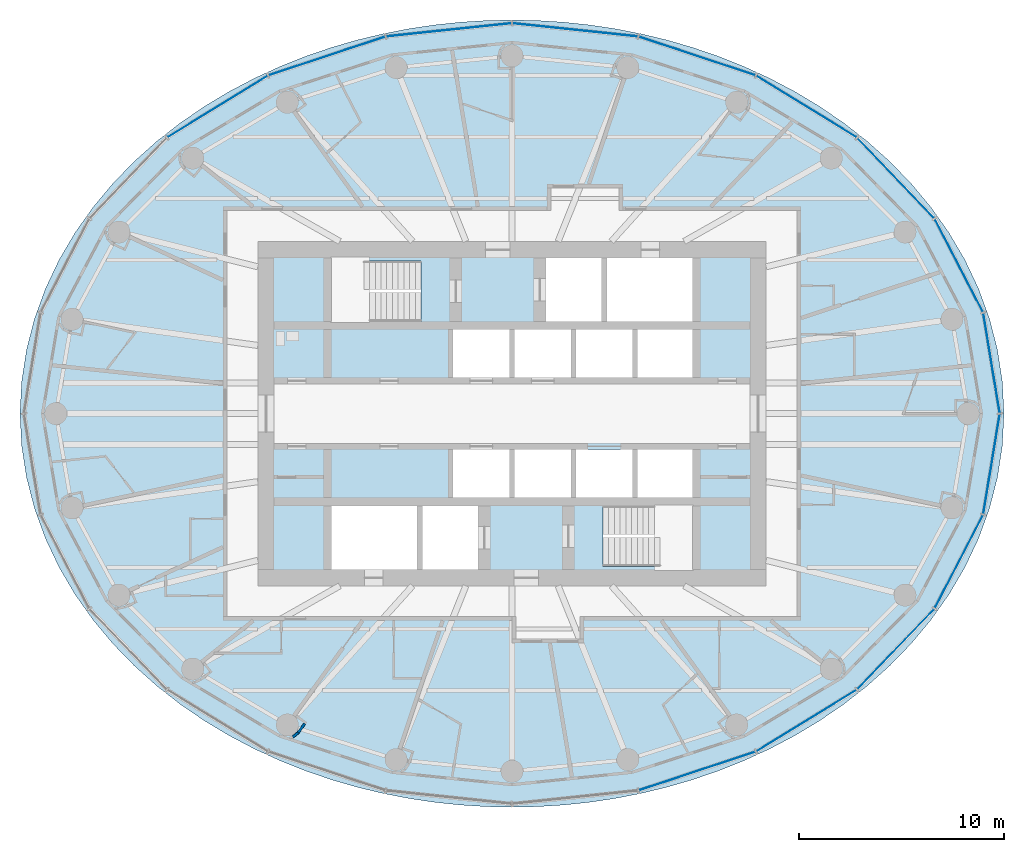
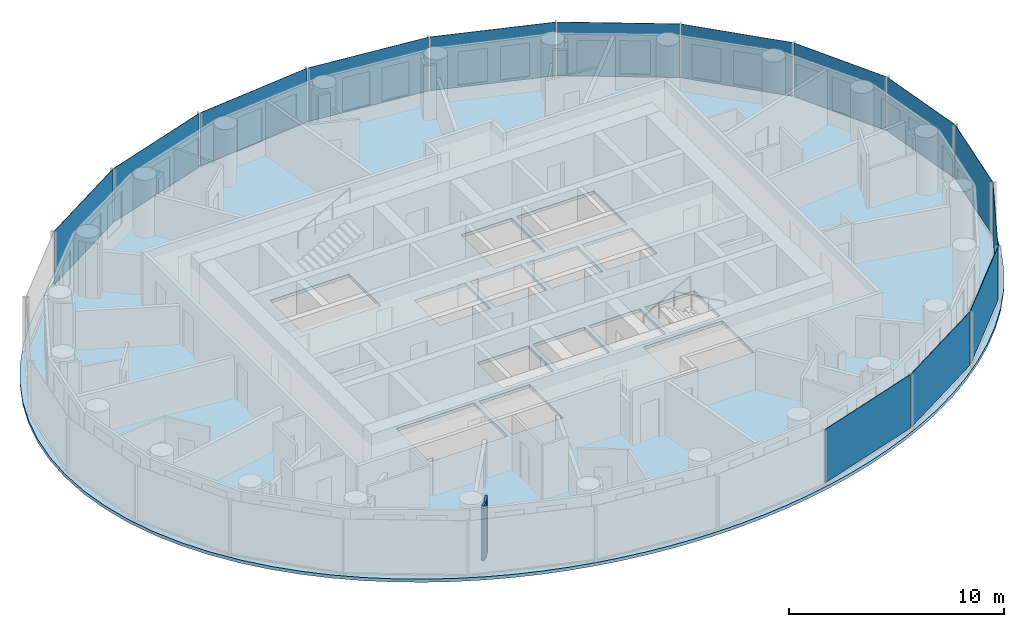
# One storey, part 5 of 14: 14 plates, 2 walls, 1 slab, 3 elements without a shape of their own.
"""IFC4 building model written with IfcOpenShell, lengths in metres."""

from ifc_helpers import new_model, si_unit, direction, frame, frame_2d, origin, origin_2d, place, context, subcontext, project, spatial, polyline, rectangle, outline, extrude, material, layer, layer_set, type_object, element, aggregate, save


model = new_model("IFC4")

# Units and contexts
model_context = context("Model", 3, precision=1e-05, world=origin(), true_north=direction((0.0, 1.0)))
body_context = subcontext(model_context, "Body", "Model", "MODEL_VIEW")
ifc_project = project(units=[si_unit("LENGTHUNIT", "METRE"), si_unit("AREAUNIT", "SQUARE_METRE"), si_unit("VOLUMEUNIT", "CUBIC_METRE"), si_unit("PLANEANGLEUNIT", "RADIAN"), si_unit("MASSUNIT", "GRAM", prefix="KILO")], contexts=[model_context])

# Site, building, storey
site_placement = place(None, origin())
site = spatial("IfcSite", under=ifc_project, at=site_placement, CompositionType="ELEMENT")
building_placement = place(site_placement, origin())
building = spatial("IfcBuilding", under=site, at=building_placement, Name="Hankou Lantern Tower", CompositionType="ELEMENT")
storey_placement = place(building_placement, frame((0.0, 0.0, 179.699951171875)))
storey = spatial("IfcBuildingStorey", under=building, at=storey_placement, Name="L48", CompositionType="ELEMENT", Elevation=179.699951171875)

# Curtain wall, plates
ifc_material_1 = material(Name="Glass, dark grey tinted laminated", Category="glass")
curtain_wall_type = type_object("IfcCurtainWallType", Name="CWC OUTER SKIN HIGH-RISE", PredefinedType="USERDEFINED", material=ifc_material_1)
curtain_wall_1_placement = place(storey_placement, origin())
curtain_wall_1 = element("IfcCurtainWall", 1, at=curtain_wall_1_placement, inside=storey, type_object=curtain_wall_type, Name="CWC L48 OS1", ObjectType="OUTER SKIN HIGH-RISE", PredefinedType="USERDEFINED")
ifc_material_2 = material(Name="Glass, dark grey tinted laminated", Category="glass")
ifc_layer_1 = layer(ifc_material_2, 0.02392578125)
ifc_layer_set_1 = layer_set([ifc_layer_1], Name="Glass, dark grey tinted laminated")
plate_type = type_object("IfcPlateType", Name="PN1 OUTER SKIN GLASS PANEL", PredefinedType="CURTAIN_PANEL", material=ifc_layer_set_1)
plate_1_placement = place(storey_placement, frame((23.39453125, 2.4638671875, 0.080078125), z_axis=(0.0, 0.0, 1.0), x_axis=(-0.162381515188, 0.986728049427, 0.0)))
plate_1 = element("IfcPlate", 2, at=plate_1_placement, type_object=plate_type, Name="CWC glass panel 1", PredefinedType="CURTAIN_PANEL", context=body_context, shape_type="SweptSolid", body=[
    extrude(rectangle(XDim=4.914306640625, YDim=0.02392578125, at=origin_2d()), origin(), (0.0, 0.0, 1.0), 3.0400390625),
])
plate_2_placement = place(storey_placement, frame((21.80029296875, 7.223876953125, 0.080078125), z_axis=(0.0, 0.0, 1.0), x_axis=(-0.459791091957, 0.888027112062, 0.0)))
plate_2 = element("IfcPlate", 3, at=plate_2_placement, type_object=plate_type, Name="CWC glass panel 2", PredefinedType="CURTAIN_PANEL", context=body_context, shape_type="SweptSolid", body=[
    extrude(rectangle(XDim=5.091064453125, YDim=0.02392578125, at=origin_2d()), origin(), (0.0, 0.0, 1.0), 3.0400390625),
])
plate_3_placement = place(storey_placement, frame((18.72021484375, 11.49169921875, 0.080078125), z_axis=(0.0, 0.0, 1.0), x_axis=(-0.692215809936, 0.721690565599, 0.0)))
plate_3 = element("IfcPlate", 4, at=plate_3_placement, type_object=plate_type, Name="CWC glass panel 3", PredefinedType="CURTAIN_PANEL", context=body_context, shape_type="SweptSolid", body=[
    extrude(rectangle(XDim=5.384033203125, YDim=0.02392578125, at=origin_2d()), origin(), (0.0, 0.0, 1.0), 3.0400390625),
])
plate_4_placement = place(storey_placement, frame((14.364501953125, 14.976318359375, 0.080078125), z_axis=(0.0, 0.0, 1.0), x_axis=(-0.852237151549, 0.523155653242, 0.0)))
plate_4 = element("IfcPlate", 5, at=plate_4_placement, type_object=plate_type, Name="CWC glass panel 4", PredefinedType="CURTAIN_PANEL", context=body_context, shape_type="SweptSolid", body=[
    extrude(rectangle(XDim=5.703857421875, YDim=0.02392578125, at=origin_2d()), origin(), (0.0, 0.0, 1.0), 3.0400390625),
])
plate_5_placement = place(storey_placement, frame((9.030029296875, 17.440185546875, 0.080078125), z_axis=(0.0, 0.0, 1.0), x_axis=(-0.949240677293, 0.31455068999, 0.0)))
plate_5 = element("IfcPlate", 6, at=plate_5_placement, type_object=plate_type, Name="CWC glass panel 5", PredefinedType="CURTAIN_PANEL", context=body_context, shape_type="SweptSolid", body=[
    extrude(rectangle(XDim=5.967041015625, YDim=0.02392578125, at=origin_2d()), origin(), (0.0, 0.0, 1.0), 3.0400390625),
])
plate_6_placement = place(storey_placement, frame((3.079833984375, 18.715576171875, 0.080078125), z_axis=(0.0, 0.0, 1.0), x_axis=(-0.994499359107, 0.104742659579, 0.0)))
plate_6 = element("IfcPlate", 7, at=plate_6_placement, type_object=plate_type, Name="CWC glass panel 6", PredefinedType="CURTAIN_PANEL", context=body_context, shape_type="SweptSolid", body=[
    extrude(rectangle(XDim=6.114013671875, YDim=0.02392578125, at=origin_2d()), origin(), (0.0, 0.0, 1.0), 3.0400390625),
])
aggregate(curtain_wall_1, [plate_1, plate_2, plate_3, plate_4, plate_5, plate_6])

curtain_wall_2_placement = place(storey_placement, origin())
curtain_wall_2 = element("IfcCurtainWall", 8, at=curtain_wall_2_placement, inside=storey, type_object=curtain_wall_type, Name="CWC L48 OS2", ObjectType="OUTER SKIN HIGH-RISE", PredefinedType="USERDEFINED")
plate_7_placement = place(storey_placement, frame((-3.079833984375, 18.715576171875, 0.080078125), z_axis=(0.0, 0.0, 1.0), x_axis=(-0.994499359107, -0.104742659579, 0.0)))
plate_7 = element("IfcPlate", 9, at=plate_7_placement, type_object=plate_type, Name="CWC glass panel 1", PredefinedType="CURTAIN_PANEL", context=body_context, shape_type="SweptSolid", body=[
    extrude(rectangle(XDim=6.114013671875, YDim=0.02392578125, at=origin_2d()), origin(), (0.0, 0.0, 1.0), 3.0400390625),
])
plate_8_placement = place(storey_placement, frame((-9.030029296875, 17.440185546875, 0.080078125), z_axis=(0.0, 0.0, 1.0), x_axis=(-0.949240677293, -0.31455068999, 0.0)))
plate_8 = element("IfcPlate", 10, at=plate_8_placement, type_object=plate_type, Name="CWC glass panel 2", PredefinedType="CURTAIN_PANEL", context=body_context, shape_type="SweptSolid", body=[
    extrude(rectangle(XDim=5.967041015625, YDim=0.02392578125, at=origin_2d()), origin(), (0.0, 0.0, 1.0), 3.0400390625),
])
plate_9_placement = place(storey_placement, frame((-14.364501953125, 14.976318359375, 0.080078125), z_axis=(0.0, 0.0, 1.0), x_axis=(-0.852237151549, -0.523155653242, 0.0)))
plate_9 = element("IfcPlate", 11, at=plate_9_placement, type_object=plate_type, Name="CWC glass panel 3", PredefinedType="CURTAIN_PANEL", context=body_context, shape_type="SweptSolid", body=[
    extrude(rectangle(XDim=5.703857421875, YDim=0.02392578125, at=origin_2d()), origin(), (0.0, 0.0, 1.0), 3.0400390625),
])
aggregate(curtain_wall_2, [plate_7, plate_8, plate_9])

curtain_wall_3_placement = place(storey_placement, origin())
curtain_wall_3 = element("IfcCurtainWall", 12, at=curtain_wall_3_placement, inside=storey, type_object=curtain_wall_type, Name="CWC L48 OS4", ObjectType="OUTER SKIN HIGH-RISE", PredefinedType="USERDEFINED")
plate_10_placement = place(storey_placement, frame((9.030029296875, -17.440185546875, 0.080078125), z_axis=(0.0, 0.0, 1.0), x_axis=(0.949240677293, 0.31455068999, 0.0)))
plate_10 = element("IfcPlate", 13, at=plate_10_placement, type_object=plate_type, Name="CWC glass panel 2", PredefinedType="CURTAIN_PANEL", context=body_context, shape_type="SweptSolid", body=[
    extrude(rectangle(XDim=5.967041015625, YDim=0.02392578125, at=origin_2d()), origin(), (0.0, 0.0, 1.0), 3.0400390625),
])
plate_11_placement = place(storey_placement, frame((14.364501953125, -14.976318359375, 0.080078125), z_axis=(0.0, 0.0, 1.0), x_axis=(0.852237151549, 0.523155653242, 0.0)))
plate_11 = element("IfcPlate", 14, at=plate_11_placement, type_object=plate_type, Name="CWC glass panel 3", PredefinedType="CURTAIN_PANEL", context=body_context, shape_type="SweptSolid", body=[
    extrude(rectangle(XDim=5.703857421875, YDim=0.02392578125, at=origin_2d()), origin(), (0.0, 0.0, 1.0), 3.0400390625),
])
plate_12_placement = place(storey_placement, frame((18.72021484375, -11.49169921875, 0.080078125), z_axis=(0.0, 0.0, 1.0), x_axis=(0.692215809936, 0.721690565599, 0.0)))
plate_12 = element("IfcPlate", 15, at=plate_12_placement, type_object=plate_type, Name="CWC glass panel 4", PredefinedType="CURTAIN_PANEL", context=body_context, shape_type="SweptSolid", body=[
    extrude(rectangle(XDim=5.384033203125, YDim=0.02392578125, at=origin_2d()), origin(), (0.0, 0.0, 1.0), 3.0400390625),
])
plate_13_placement = place(storey_placement, frame((21.80029296875, -7.223876953125, 0.080078125), z_axis=(0.0, 0.0, 1.0), x_axis=(0.459791091957, 0.888027112062, 0.0)))
plate_13 = element("IfcPlate", 16, at=plate_13_placement, type_object=plate_type, Name="CWC glass panel 5", PredefinedType="CURTAIN_PANEL", context=body_context, shape_type="SweptSolid", body=[
    extrude(rectangle(XDim=5.091064453125, YDim=0.02392578125, at=origin_2d()), origin(), (0.0, 0.0, 1.0), 3.0400390625),
])
plate_14_placement = place(storey_placement, frame((23.39453125, -2.4638671875, 0.080078125), z_axis=(0.0, 0.0, 1.0), x_axis=(0.162381515188, 0.986728049427, 0.0)))
plate_14 = element("IfcPlate", 17, at=plate_14_placement, type_object=plate_type, Name="CWC glass panel 6", PredefinedType="CURTAIN_PANEL", context=body_context, shape_type="SweptSolid", body=[
    extrude(rectangle(XDim=4.914306640625, YDim=0.02392578125, at=origin_2d()), origin(), (0.0, 0.0, 1.0), 3.0400390625),
])
aggregate(curtain_wall_3, [plate_10, plate_11, plate_12, plate_13, plate_14])

# Slab
ifc_material_3 = material(Name="Concrete C50", Category="concrete")
ifc_layer_2 = layer(ifc_material_3, 0.179931640625)
ifc_layer_set_2 = layer_set([ifc_layer_2], Name="Concrete C50")
slab_type = type_object("IfcSlabType", Name="S1 CONCRETE FLOOR SLAB 180", PredefinedType="FLOOR", material=ifc_layer_set_2)
slab_placement = place(storey_placement, frame((0.0, 0.0, -0.179931640625)))
element("IfcSlab", 18, at=slab_placement, inside=storey, type_object=slab_type, Name="Floor slab L48", PredefinedType="FLOOR", context=body_context, shape_type="SweptSolid", body=[
    extrude(outline(polyline([(24.0, 0.0), (23.919921875, 1.56787109375), (23.681396484375, 3.11767578125), (23.290771484375, 4.6328125), (22.75732421875, 6.097900390625), (22.09326171875, 7.499755859375), (21.312744140625, 8.827880859375), (20.43017578125, 10.0751953125), (19.461181640625, 11.23583984375), (18.420166015625, 12.307861328125), (17.320556640625, 13.29052734375), (16.174560546875, 14.184814453125), (14.99267578125, 14.99267578125), (13.783935546875, 15.717529296875), (12.5556640625, 16.363037109375), (11.31396484375, 16.9326171875), (10.0634765625, 17.4306640625), (8.8076171875, 17.8603515625), (7.54931640625, 18.225341796875), (6.289794921875, 18.52880859375), (5.0302734375, 18.7734375), (3.771728515625, 18.96142578125), (2.513916015625, 19.094482421875), (1.256591796875, 19.173583984375), (0.0, 19.199951171875), (-1.256591796875, 19.173583984375), (-2.513916015625, 19.094482421875), (-3.771728515625, 18.96142578125), (-5.0302734375, 18.7734375), (-6.289794921875, 18.52880859375), (-7.54931640625, 18.225341796875), (-8.8076171875, 17.8603515625), (-10.0634765625, 17.4306640625), (-11.31396484375, 16.9326171875), (-12.5556640625, 16.363037109375), (-13.783935546875, 15.717529296875), (-14.99267578125, 14.99267578125), (-16.174560546875, 14.184814453125), (-17.320556640625, 13.29052734375), (-18.420166015625, 12.307861328125), (-19.461181640625, 11.23583984375), (-20.43017578125, 10.0751953125), (-21.312744140625, 8.827880859375), (-22.09326171875, 7.499755859375), (-22.75732421875, 6.097900390625), (-23.290771484375, 4.6328125), (-23.681396484375, 3.11767578125), (-23.919921875, 1.56787109375), (-24.0, 0.0), (-23.919921875, -1.56787109375), (-23.681396484375, -3.11767578125), (-23.290771484375, -4.6328125), (-22.75732421875, -6.097900390625), (-22.09326171875, -7.499755859375), (-21.312744140625, -8.827880859375), (-20.43017578125, -10.0751953125), (-19.461181640625, -11.23583984375), (-18.420166015625, -12.307861328125), (-17.320556640625, -13.29052734375), (-16.174560546875, -14.184814453125), (-14.99267578125, -14.99267578125), (-13.783935546875, -15.717529296875), (-12.5556640625, -16.363037109375), (-11.31396484375, -16.9326171875), (-10.0634765625, -17.4306640625), (-8.8076171875, -17.8603515625), (-7.54931640625, -18.225341796875), (-6.289794921875, -18.52880859375), (-5.0302734375, -18.7734375), (-3.771728515625, -18.96142578125), (-2.513916015625, -19.094482421875), (-1.256591796875, -19.173583984375), (0.0, -19.199951171875), (1.256591796875, -19.173583984375), (2.513916015625, -19.094482421875), (3.771728515625, -18.96142578125), (5.0302734375, -18.7734375), (6.289794921875, -18.52880859375), (7.54931640625, -18.225341796875), (8.8076171875, -17.8603515625), (10.0634765625, -17.4306640625), (11.31396484375, -16.9326171875), (12.5556640625, -16.363037109375), (13.783935546875, -15.717529296875), (14.99267578125, -14.99267578125), (16.174560546875, -14.184814453125), (17.320556640625, -13.29052734375), (18.420166015625, -12.307861328125), (19.461181640625, -11.23583984375), (20.43017578125, -10.0751953125), (21.312744140625, -8.827880859375), (22.09326171875, -7.499755859375), (22.75732421875, -6.097900390625), (23.290771484375, -4.6328125), (23.681396484375, -3.11767578125), (23.919921875, -1.56787109375), (24.0, 0.0)]), holes=[polyline([(-2.875, 4.10009765625), (-0.125, 4.10009765625), (-0.125, 1.75), (-2.875, 1.75), (-2.875, 4.10009765625)]), polyline([(0.125, 4.10009765625), (2.875, 4.10009765625), (2.875, 1.75), (0.125, 1.75), (0.125, 4.10009765625)]), polyline([(3.125, 4.10009765625), (5.875, 4.10009765625), (5.875, 1.75), (3.125, 1.75), (3.125, 4.10009765625)]), polyline([(6.125, 4.10009765625), (8.800048828125, 4.10009765625), (8.800048828125, 1.75), (6.125, 1.75), (6.125, 4.10009765625)]), polyline([(-2.875, -1.75), (-0.125, -1.75), (-0.125, -4.10009765625), (-2.875, -4.10009765625), (-2.875, -1.75)]), polyline([(0.125, -1.75), (2.875, -1.75), (2.875, -4.10009765625), (0.125, -4.10009765625), (0.125, -1.75)]), polyline([(3.125, -1.75), (5.875, -1.75), (5.875, -4.10009765625), (3.125, -4.10009765625), (3.125, -1.75)]), polyline([(6.125, -1.75), (8.800048828125, -1.75), (8.800048828125, -4.10009765625), (6.125, -4.10009765625), (6.125, -1.75)]), polyline([(1.64990234375, 7.60009765625), (4.375, 7.60009765625), (4.375, 4.5), (1.64990234375, 4.5), (1.64990234375, 7.60009765625)]), polyline([(-4.375, -4.5), (-1.64990234375, -4.5), (-1.64990234375, -7.60009765625), (-4.375, -7.60009765625), (-4.375, -4.5)]), polyline([(-8.699951171875, 7.449951171875), (-4.449951171875, 7.449951171875), (-4.449951171875, 4.5), (-8.699951171875, 4.5), (-8.699951171875, 7.449951171875)]), polyline([(4.449951171875, -4.5), (8.699951171875, -4.5), (8.699951171875, -7.449951171875), (4.449951171875, -7.449951171875), (4.449951171875, -4.5)]), polyline([(4.625, 7.60009765625), (8.800048828125, 7.60009765625), (8.800048828125, 4.5), (4.625, 4.5), (4.625, 7.60009765625)]), polyline([(-8.800048828125, -4.5), (-4.625, -4.5), (-4.625, -7.60009765625), (-8.800048828125, -7.60009765625), (-8.800048828125, -4.5)])]), origin(), (0.0, 0.0, 1.0), 0.179931640625),
])

# Walls
ifc_material_4 = material(Name="Masonry lightweight concrete block", Category="masonry")
ifc_layer_3 = layer(ifc_material_4, 0.1201171875)
ifc_layer_set_3 = layer_set([ifc_layer_3], Name="Masonry lightweight concrete block")
wall_type = type_object("IfcWallType", Name="IW4 PARTITION 120", PredefinedType="PARTITIONING", material=ifc_layer_set_3)
wall_1_placement = place(storey_placement, frame((-10.10888671875, -15.121826171875, 0.0), z_axis=(0.0, 0.0, 1.0), x_axis=(-0.585344718358, -0.810784534072, 0.0)))
element("IfcWall", 19, at=wall_1_placement, inside=storey, type_object=wall_type, Name="Column casing R17", PredefinedType="PARTITIONING", context=body_context, shape_type="SweptSolid", body=[
    extrude(rectangle(XDim=0.550048828125, YDim=0.1201171875, at=frame_2d((0.27490234375, 0.0))), origin(), (0.0, 0.0, 1.0), 3.1201171875),
])
wall_2_placement = place(storey_placement, frame((-10.430908203125, -15.56787109375, 0.0), z_axis=(0.0, 0.0, 1.0), x_axis=(-0.77505137267, -0.631898227345, 0.0)))
element("IfcWall", 20, at=wall_2_placement, inside=storey, type_object=wall_type, Name="Column casing R17", PredefinedType="PARTITIONING", context=body_context, shape_type="SweptSolid", body=[
    extrude(rectangle(XDim=0.337646484375, YDim=0.1201171875, at=frame_2d((0.1689453125, 0.0))), origin(), (0.0, 0.0, 1.0), 3.1201171875),
])

save(model, "model.ifc")
